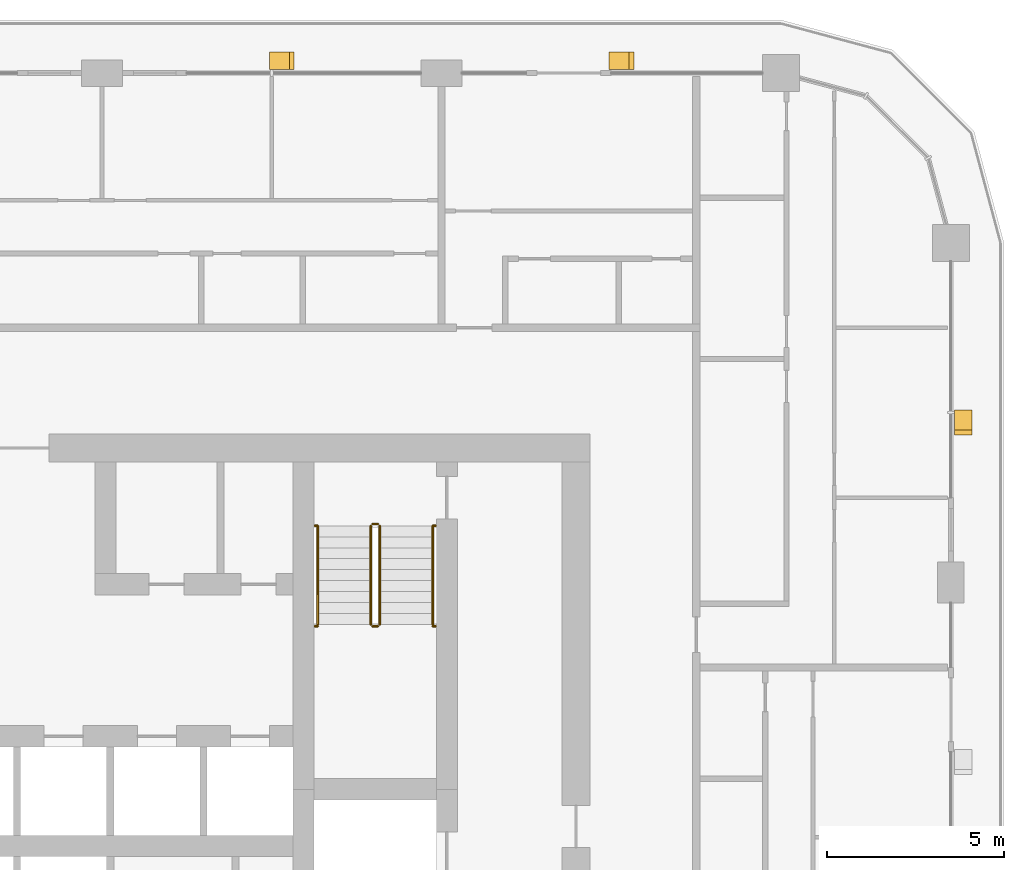
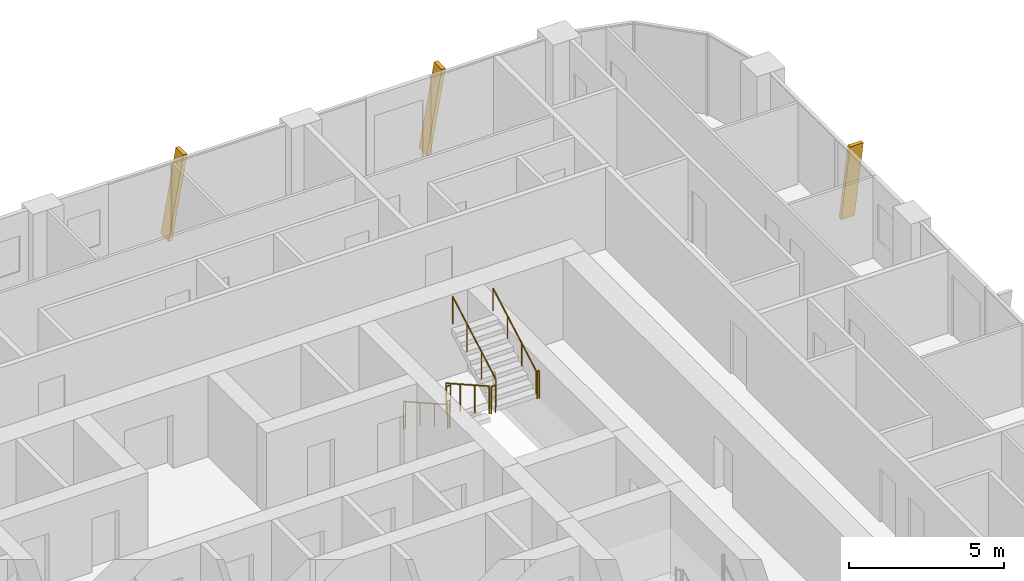
# One storey, part 22 of 22: 10 railings, 3 shading devices.
"""IFC4 building model written with IfcOpenShell, lengths in metres."""

from ifc_helpers import new_model, si_unit, direction, frame, origin, origin_2d, place, context, subcontext, project, spatial, polyline, circle, outline, extrude, material, type_object, element, save


model = new_model("IFC4")

# Units and contexts
model_context = context("Model", 3, precision=1e-05, world=origin(), true_north=direction((0.0, 1.0)))
body_context = subcontext(model_context, "Body", "Model", "MODEL_VIEW")
ifc_project = project(units=[si_unit("LENGTHUNIT", "METRE"), si_unit("AREAUNIT", "SQUARE_METRE"), si_unit("VOLUMEUNIT", "CUBIC_METRE"), si_unit("PLANEANGLEUNIT", "RADIAN"), si_unit("MASSUNIT", "GRAM", prefix="KILO")], contexts=[model_context])

# Site, building, storey
site_placement = place(None, origin())
site = spatial("IfcSite", under=ifc_project, at=site_placement, CompositionType="ELEMENT")
building_placement = place(site_placement, origin())
building = spatial("IfcBuilding", under=site, at=building_placement, Name="Madar Terraces", CompositionType="ELEMENT")
storey_placement = place(building_placement, frame((0.0, 0.0, 159.5)))
storey = spatial("IfcBuildingStorey", under=building, at=storey_placement, Name="L41", CompositionType="ELEMENT", Elevation=159.5)

# Shading devices
ifc_material_1 = material(Name="Aluminium, black anodised", Category="aluminium")
shading_device_type = type_object("IfcShadingDeviceType", Name="Facade fin blade 140 x 500", PredefinedType="USERDEFINED", material=ifc_material_1)
shading_device_1_placement = place(storey_placement, frame((57.949951171875, 38.330078125, 0.0), z_axis=(0.0, 0.0, 1.0), x_axis=(0.0, 1.0, 0.0)))
element("IfcShadingDevice", 1, at=shading_device_1_placement, inside=storey, type_object=shading_device_type, Name="FIN L41 E4", ObjectType="FIN", PredefinedType="USERDEFINED", context=body_context, shape_type="SweptSolid", body=[
    extrude(outline(polyline([(0.0, 0.0), (0.139892578125, 0.0), (-0.42431640625, 3.199951171875), (-0.564208984375, 3.199951171875), (0.0, 0.0)])), frame((0.0, 0.25, 0.0), z_axis=(0.0, -1.0, 0.0), x_axis=(1.0, 0.0, 0.0)), (0.0, 0.0, 1.0), 0.5),
])
shading_device_2_placement = place(storey_placement, frame((48.070068359375, 48.35009765625, 0.0), z_axis=(0.0, 0.0, 1.0), x_axis=(-1.0, 0.0, 0.0)))
element("IfcShadingDevice", 2, at=shading_device_2_placement, inside=storey, type_object=shading_device_type, Name="FIN L41 N1", ObjectType="FIN", PredefinedType="USERDEFINED", context=body_context, shape_type="SweptSolid", body=[
    extrude(outline(polyline([(0.0, 0.0), (0.14013671875, 0.0), (-0.42431640625, 3.199951171875), (-0.564208984375, 3.199951171875), (0.0, 0.0)])), frame((0.0, 0.25, 0.0), z_axis=(0.0, -1.0, 0.0), x_axis=(1.0, 0.0, 0.0)), (0.0, 0.0, 1.0), 0.5),
])
shading_device_3_placement = place(storey_placement, frame((38.469970703125, 48.35009765625, 0.0), z_axis=(0.0, 0.0, 1.0), x_axis=(-1.0, 0.0, 0.0)))
element("IfcShadingDevice", 3, at=shading_device_3_placement, inside=storey, type_object=shading_device_type, Name="FIN L41 N2", ObjectType="FIN", PredefinedType="USERDEFINED", context=body_context, shape_type="SweptSolid", body=[
    extrude(outline(polyline([(0.0, 0.0), (0.139892578125, 0.0), (-0.42431640625, 3.199951171875), (-0.564208984375, 3.199951171875), (0.0, 0.0)])), frame((0.0, 0.25, 0.0), z_axis=(0.0, -1.0, 0.0), x_axis=(1.0, 0.0, 0.0)), (0.0, 0.0, 1.0), 0.5),
])

# Railings
ifc_material_2 = material(Name="Stainless steel railing", Category="steel")
railing_type_1 = type_object("IfcRailingType", Name="Stair guard 1100", PredefinedType="GUARDRAIL", material=ifc_material_2)
railing_1_placement = place(storey_placement, frame((41.199951171875, 35.199951171875, 0.175048828125)))
element("IfcRailing", 4, at=railing_1_placement, inside=storey, type_object=railing_type_1, Name="L41 ST2 stair guard 1", PredefinedType="GUARDRAIL", context=body_context, shape_type="SweptSolid", body=[
    extrude(circle(Radius=0.02392578125, at=origin_2d()), frame((0.0, 0.0, 1.076171875), z_axis=(0.0, -0.870833779661, 0.491577591232), x_axis=(1.0, 0.0, 0.0)), (0.0, 0.0, 1.0), 3.203857421875),
    extrude(circle(Radius=0.02099609375, at=origin_2d()), origin(), (0.0, 0.0, 1.0), 1.052001953125),
    extrude(circle(Radius=0.02099609375, at=origin_2d()), frame((0.0, -0.929931640625, 0.52490234375)), (0.0, 0.0, 1.0), 1.052001953125),
    extrude(circle(Radius=0.02099609375, at=origin_2d()), frame((0.0, -1.860107421875, 1.050048828125)), (0.0, 0.0, 1.0), 1.052001953125),
    extrude(circle(Radius=0.02099609375, at=origin_2d()), frame((0.0, -2.7900390625, 1.574951171875)), (0.0, 0.0, 1.0), 1.052001953125),
])
railing_2_placement = place(storey_placement, frame((41.25, 32.360107421875, 1.75)))
element("IfcRailing", 5, at=railing_2_placement, inside=storey, type_object=railing_type_1, Name="L41 ST2 stair guard 2", PredefinedType="GUARDRAIL", context=body_context, shape_type="SweptSolid", body=[
    extrude(circle(Radius=0.02392578125, at=origin_2d()), frame((0.0, 0.0, 1.076171875), z_axis=(1.0, 0.0, 0.0), x_axis=(0.0, 1.0, 0.0)), (0.0, 0.0, 1.0), 0.14990234375),
    extrude(circle(Radius=0.02099609375, at=origin_2d()), origin(), (0.0, 0.0, 1.0), 1.052001953125),
    extrude(circle(Radius=0.02099609375, at=origin_2d()), frame((0.14990234375, 0.0, 0.0)), (0.0, 0.0, 1.0), 1.052001953125),
])
railing_3_placement = place(storey_placement, frame((41.449951171875, 32.409912109375, 1.925048828125)))
element("IfcRailing", 6, at=railing_3_placement, inside=storey, type_object=railing_type_1, Name="L41 ST2 stair guard 3", PredefinedType="GUARDRAIL", context=body_context, shape_type="SweptSolid", body=[
    extrude(circle(Radius=0.02392578125, at=origin_2d()), frame((0.0, 0.0, 1.076171875), z_axis=(0.0, 0.870833779661, 0.491577591232), x_axis=(-1.0, 0.0, 0.0)), (0.0, 0.0, 1.0), 3.203857421875),
    extrude(circle(Radius=0.02099609375, at=origin_2d()), origin(), (0.0, 0.0, 1.0), 1.052001953125),
    extrude(circle(Radius=0.02099609375, at=origin_2d()), frame((0.0, 0.929931640625, 0.52490234375)), (0.0, 0.0, 1.0), 1.052001953125),
    extrude(circle(Radius=0.02099609375, at=origin_2d()), frame((0.0, 1.860107421875, 1.050048828125)), (0.0, 0.0, 1.0), 1.052001953125),
    extrude(circle(Radius=0.02099609375, at=origin_2d()), frame((0.0, 2.7900390625, 1.574951171875)), (0.0, 0.0, 1.0), 1.052001953125),
])
railing_4_placement = place(storey_placement, frame((41.25, 35.25, 0.0)))
element("IfcRailing", 7, at=railing_4_placement, inside=storey, type_object=railing_type_1, Name="L41 ST2 stair guard 4", PredefinedType="GUARDRAIL", context=body_context, shape_type="SweptSolid", body=[
    extrude(circle(Radius=0.02392578125, at=origin_2d()), frame((0.0, 0.0, 1.076171875), z_axis=(1.0, 0.0, 0.0), x_axis=(0.0, 1.0, 0.0)), (0.0, 0.0, 1.0), 0.14990234375),
    extrude(circle(Radius=0.02099609375, at=origin_2d()), origin(), (0.0, 0.0, 1.0), 1.052001953125),
    extrude(circle(Radius=0.02099609375, at=origin_2d()), frame((0.14990234375, 0.0, 0.0)), (0.0, 0.0, 1.0), 1.052001953125),
])
railing_5_placement = place(storey_placement, frame((39.6201171875, 32.360107421875, 1.75)))
element("IfcRailing", 8, at=railing_5_placement, inside=storey, type_object=railing_type_1, Name="L41 stair guard seat 1", PredefinedType="GUARDRAIL", context=body_context, shape_type="SweptSolid", body=[
    extrude(circle(Radius=0.02392578125, at=origin_2d()), frame((0.0, 0.0, 1.076171875), z_axis=(1.0, 0.0, 0.0), x_axis=(0.0, 1.0, 0.0)), (0.0, 0.0, 1.0), 0.079833984375),
    extrude(circle(Radius=0.02099609375, at=origin_2d()), origin(), (0.0, 0.0, 1.0), 1.052001953125),
    extrude(circle(Radius=0.02099609375, at=origin_2d()), frame((0.079833984375, 0.0, 0.0)), (0.0, 0.0, 1.0), 1.052001953125),
])
railing_6_placement = place(storey_placement, frame((42.949951171875, 32.360107421875, 1.75)))
element("IfcRailing", 9, at=railing_6_placement, inside=storey, type_object=railing_type_1, Name="L41 stair guard seat 2", PredefinedType="GUARDRAIL", context=body_context, shape_type="SweptSolid", body=[
    extrude(circle(Radius=0.02392578125, at=origin_2d()), frame((0.0, 0.0, 1.076171875), z_axis=(1.0, 0.0, 0.0), x_axis=(0.0, 1.0, 0.0)), (0.0, 0.0, 1.0), 0.080078125),
    extrude(circle(Radius=0.02099609375, at=origin_2d()), origin(), (0.0, 0.0, 1.0), 1.052001953125),
    extrude(circle(Radius=0.02099609375, at=origin_2d()), frame((0.080078125, 0.0, 0.0)), (0.0, 0.0, 1.0), 1.052001953125),
])
railing_7_placement = place(storey_placement, frame((39.6201171875, 35.199951171875, 0.0)))
element("IfcRailing", 10, at=railing_7_placement, inside=storey, type_object=railing_type_1, Name="L41 stair guard floor 1", PredefinedType="GUARDRAIL", context=body_context, shape_type="SweptSolid", body=[
    extrude(circle(Radius=0.02392578125, at=origin_2d()), frame((0.0, 0.0, 1.076171875), z_axis=(1.0, 0.0, 0.0), x_axis=(0.0, 1.0, 0.0)), (0.0, 0.0, 1.0), 0.079833984375),
    extrude(circle(Radius=0.02099609375, at=origin_2d()), origin(), (0.0, 0.0, 1.0), 1.052001953125),
    extrude(circle(Radius=0.02099609375, at=origin_2d()), frame((0.079833984375, 0.0, 0.0)), (0.0, 0.0, 1.0), 1.052001953125),
])
railing_8_placement = place(storey_placement, frame((42.949951171875, 35.199951171875, 0.0)))
element("IfcRailing", 11, at=railing_8_placement, inside=storey, type_object=railing_type_1, Name="L41 stair guard floor 2", PredefinedType="GUARDRAIL", context=body_context, shape_type="SweptSolid", body=[
    extrude(circle(Radius=0.02392578125, at=origin_2d()), frame((0.0, 0.0, 1.076171875), z_axis=(1.0, 0.0, 0.0), x_axis=(0.0, 1.0, 0.0)), (0.0, 0.0, 1.0), 0.080078125),
    extrude(circle(Radius=0.02099609375, at=origin_2d()), origin(), (0.0, 0.0, 1.0), 1.052001953125),
    extrude(circle(Radius=0.02099609375, at=origin_2d()), frame((0.080078125, 0.0, 0.0)), (0.0, 0.0, 1.0), 1.052001953125),
])
ifc_material_3 = material(Name="Stainless steel railing", Category="steel")
railing_type_2 = type_object("IfcRailingType", Name="Stair handrail 900", PredefinedType="HANDRAIL", material=ifc_material_3)
railing_9_placement = place(storey_placement, frame((39.699951171875, 35.199951171875, 0.175048828125)))
element("IfcRailing", 12, at=railing_9_placement, inside=storey, type_object=railing_type_2, Name="L41 ST2 stair handrail 1", PredefinedType="HANDRAIL", context=body_context, shape_type="SweptSolid", body=[
    extrude(circle(Radius=0.02392578125, at=origin_2d()), frame((0.0, 0.0, 0.8759765625), z_axis=(0.0, -0.870833779661, 0.491577591232), x_axis=(1.0, 0.0, 0.0)), (0.0, 0.0, 1.0), 3.203857421875),
    extrude(circle(Radius=0.02099609375, at=origin_2d()), origin(), (0.0, 0.0, 1.0), 0.851806640625),
    extrude(circle(Radius=0.02099609375, at=origin_2d()), frame((0.0, -0.929931640625, 0.52490234375)), (0.0, 0.0, 1.0), 0.851806640625),
    extrude(circle(Radius=0.02099609375, at=origin_2d()), frame((0.0, -1.860107421875, 1.050048828125)), (0.0, 0.0, 1.0), 0.851806640625),
    extrude(circle(Radius=0.02099609375, at=origin_2d()), frame((0.0, -2.7900390625, 1.574951171875)), (0.0, 0.0, 1.0), 0.851806640625),
])
railing_10_placement = place(storey_placement, frame((42.949951171875, 32.409912109375, 1.925048828125)))
element("IfcRailing", 13, at=railing_10_placement, inside=storey, type_object=railing_type_2, Name="L41 ST2 stair handrail 2", PredefinedType="HANDRAIL", context=body_context, shape_type="SweptSolid", body=[
    extrude(circle(Radius=0.02392578125, at=origin_2d()), frame((0.0, 0.0, 0.8759765625), z_axis=(0.0, 0.870833779661, 0.491577591232), x_axis=(-1.0, 0.0, 0.0)), (0.0, 0.0, 1.0), 3.203857421875),
    extrude(circle(Radius=0.02099609375, at=origin_2d()), origin(), (0.0, 0.0, 1.0), 0.851806640625),
    extrude(circle(Radius=0.02099609375, at=origin_2d()), frame((0.0, 0.929931640625, 0.52490234375)), (0.0, 0.0, 1.0), 0.851806640625),
    extrude(circle(Radius=0.02099609375, at=origin_2d()), frame((0.0, 1.860107421875, 1.050048828125)), (0.0, 0.0, 1.0), 0.851806640625),
    extrude(circle(Radius=0.02099609375, at=origin_2d()), frame((0.0, 2.7900390625, 1.574951171875)), (0.0, 0.0, 1.0), 0.851806640625),
])

save(model, "model.ifc")
